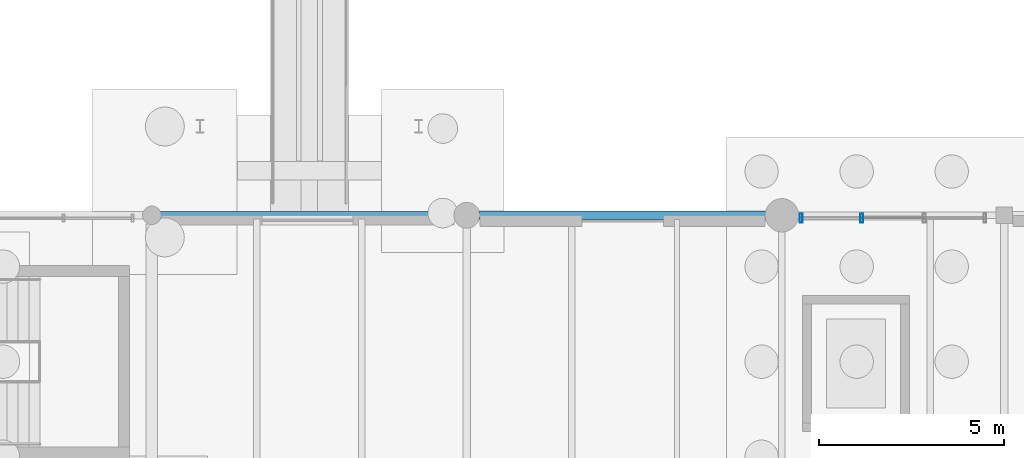
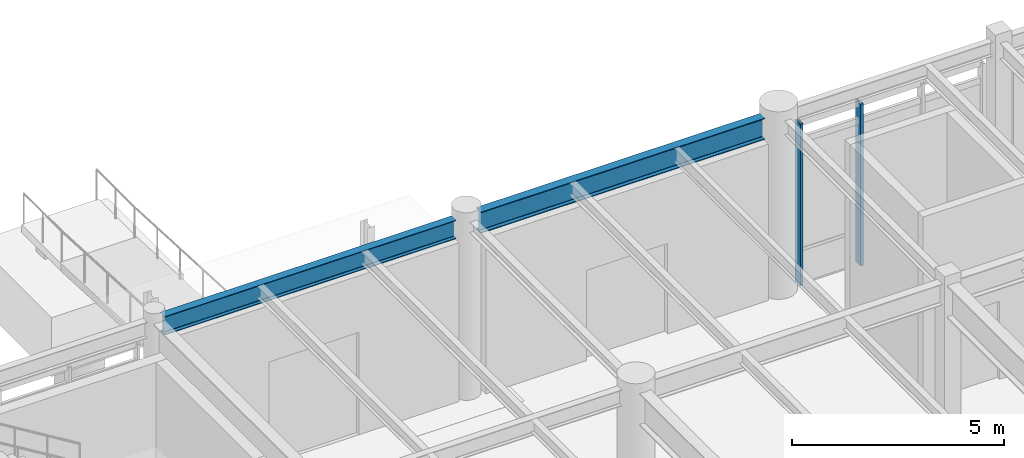
# One storey, part 148 of 203: 2 beams, 2 members, 1 element without a shape of its own.
"""IFC4 building model written with IfcOpenShell, lengths in metres."""

from ifc_helpers import new_model, si_unit, direction, frame, origin, origin_2d, place, context, subcontext, project, spatial, hollow_rectangle, i_section, extrude, material, material_profile, profile_set, type_object, element, aggregate, save


model = new_model("IFC4")

# Units and contexts
model_context = context("Model", 3, precision=1e-05, world=origin(), true_north=direction((0.0, 1.0)))
body_context = subcontext(model_context, "Body", "Model", "MODEL_VIEW")
ifc_project = project(units=[si_unit("LENGTHUNIT", "METRE"), si_unit("AREAUNIT", "SQUARE_METRE"), si_unit("VOLUMEUNIT", "CUBIC_METRE"), si_unit("PLANEANGLEUNIT", "RADIAN"), si_unit("MASSUNIT", "GRAM", prefix="KILO"), si_unit("THERMODYNAMICTEMPERATUREUNIT", "KELVIN"), si_unit("POWERUNIT", "WATT")], contexts=[model_context])

# Site, building, storey
site_placement = place(None, origin())
site = spatial("IfcSite", under=ifc_project, at=site_placement, CompositionType="ELEMENT")
building_placement = place(site_placement, origin())
building = spatial("IfcBuilding", under=site, at=building_placement, Name="Tepalcoro Natatorium and Aquatics Centre", CompositionType="ELEMENT")
storey_placement = place(building_placement, origin())
storey = spatial("IfcBuildingStorey", under=building, at=storey_placement, Name="L00", CompositionType="ELEMENT", Elevation=0.0)

# Curtain wall, members
ifc_material_1 = material(Name="Bronze-Anodised Extruded Aluminium Alloy EN AW-6063 T6", Category="aluminium")
curtain_wall_type = type_object("IfcCurtainWallType", Name="CW_V4_VILLAGE", PredefinedType="USERDEFINED", material=ifc_material_1)
curtain_wall_placement = place(storey_placement, origin())
curtain_wall = element("IfcCurtainWall", 1, at=curtain_wall_placement, inside=storey, type_object=curtain_wall_type, Name="V5 L00 N Unitised Curtain Wall Bay 8", ObjectType="UNITISED STOREFRONT", PredefinedType="USERDEFINED")
ifc_material_profile_1 = material_profile(ifc_material_1, hollow_rectangle(XDim=0.080078125, YDim=0.239990234375, WallThickness=0.0048828125, at=origin_2d()), Name="AL80X240X5")
ifc_profile_set_1 = profile_set([ifc_material_profile_1], Name="Bronze-Anodised Extruded Aluminium Alloy EN AW-6063 T6")
member_type = type_object("IfcMemberType", Name="CW_MUL_80x240", PredefinedType="MULLION", material=ifc_profile_set_1)
member_1_placement = place(storey_placement, frame((159.52001953125, 117.923828125, 0.02001953125), z_axis=(0.0, 0.0, 1.0), x_axis=(1.0, 0.0, 0.0)))
member_1 = element("IfcMember", 2, at=member_1_placement, type_object=member_type, Name="CW_V4_VILLAGE Curtain Wall Mullion", PredefinedType="MULLION", context=body_context, shape_type="SweptSolid", body=[
    extrude(hollow_rectangle(XDim=0.080078125, YDim=0.239990234375, WallThickness=0.0048828125, at=origin_2d()), origin(), (0.0, 0.0, 1.0), 4.656982421875),
])
member_2_placement = place(storey_placement, frame((161.159912109375, 117.923828125, 0.02001953125), z_axis=(0.0, 0.0, 1.0), x_axis=(1.0, 0.0, 0.0)))
member_2 = element("IfcMember", 3, at=member_2_placement, type_object=member_type, Name="CW_V4_VILLAGE Curtain Wall Mullion", PredefinedType="MULLION", context=body_context, shape_type="SweptSolid", body=[
    extrude(hollow_rectangle(XDim=0.080078125, YDim=0.239990234375, WallThickness=0.0048828125, at=origin_2d()), origin(), (0.0, 0.0, 1.0), 4.656982421875),
])
aggregate(curtain_wall, [member_1, member_2])

# Beams
ifc_material_2 = material(Name="Steel ASTM A992 Grade 50 (Fy 345 MPa)", Category="steel")
ifc_material_profile_2 = material_profile(ifc_material_2, i_section(OverallWidth=0.2099609375, OverallDepth=0.535888671875, WebThickness=0.010986328125, FlangeThickness=0.01708984375, FilletRadius=0.013916015625, at=origin_2d()), Name="W21X68")
ifc_profile_set_2 = profile_set([ifc_material_profile_2], Name="Steel ASTM A992 Grade 50 (Fy 345 MPa)")
beam_type_1 = type_object("IfcBeamType", Name="SP_W21x68", PredefinedType="SPANDREL", material=ifc_profile_set_2)
beam_1_placement = place(storey_placement, frame((142.235107421875, 118.0, 4.85693359375), z_axis=(1.0, 0.0, 0.0), x_axis=(0.0, 1.0, 0.0)))
element("IfcBeam", 4, at=beam_1_placement, inside=storey, type_object=beam_type_1, Name="V5 L00 Grid Girder X", PredefinedType="SPANDREL", context=body_context, shape_type="SweptSolid", body=[
    extrude(i_section(OverallWidth=0.2099609375, OverallDepth=0.535888671875, WebThickness=0.010986328125, FlangeThickness=0.01708984375, FilletRadius=0.013916015625, at=origin_2d()), origin(), (0.0, 0.0, 1.0), 7.929931640625),
])
ifc_material_profile_3 = material_profile(ifc_material_2, i_section(OverallWidth=0.22900390625, OverallDepth=0.612060546875, WebThickness=0.011962890625, FlangeThickness=0.02001953125, FilletRadius=0.013916015625, at=origin_2d()), Name="W24X84")
ifc_profile_set_3 = profile_set([ifc_material_profile_3], Name="Steel ASTM A992 Grade 50 (Fy 345 MPa)")
beam_type_2 = type_object("IfcBeamType", Name="SP_W24x84", PredefinedType="SPANDREL", material=ifc_profile_set_3)
beam_2_placement = place(storey_placement, frame((150.8349609375, 118.0, 4.819091796875), z_axis=(1.0, 0.0, 0.0), x_axis=(0.0, 1.0, 0.0)))
element("IfcBeam", 5, at=beam_2_placement, inside=storey, type_object=beam_type_2, Name="V5 L00 Grid Girder X", PredefinedType="SPANDREL", context=body_context, shape_type="SweptSolid", body=[
    extrude(i_section(OverallWidth=0.22900390625, OverallDepth=0.612060546875, WebThickness=0.011962890625, FlangeThickness=0.02001953125, FilletRadius=0.013916015625, at=origin_2d()), origin(), (0.0, 0.0, 1.0), 7.72998046875),
])

save(model, "model.ifc")
